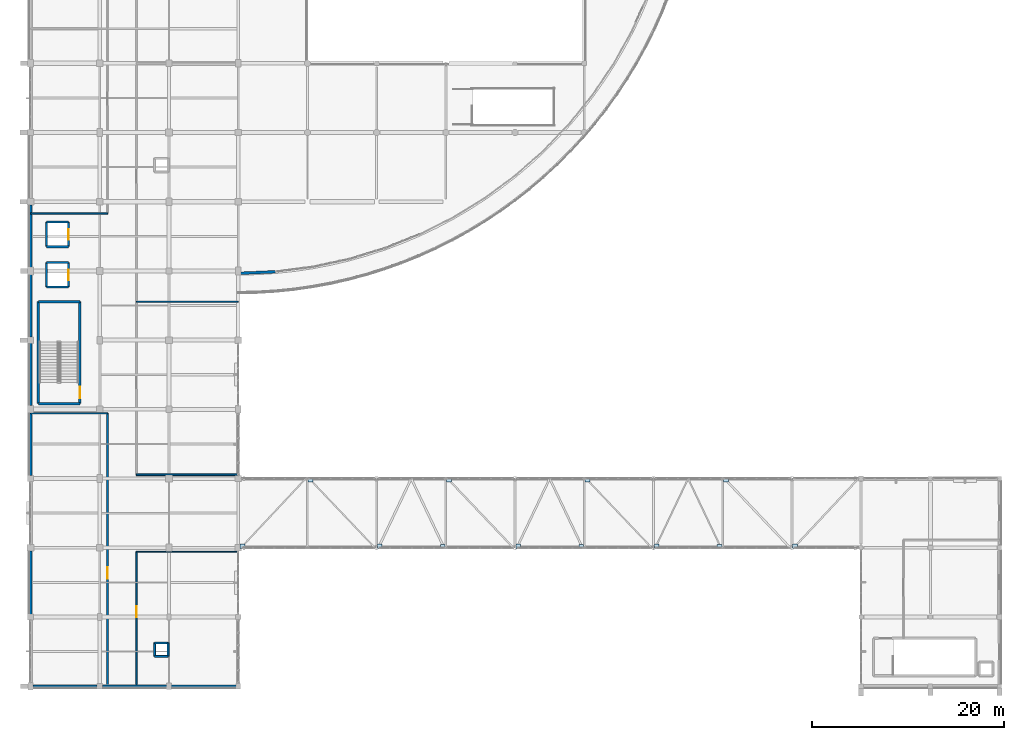
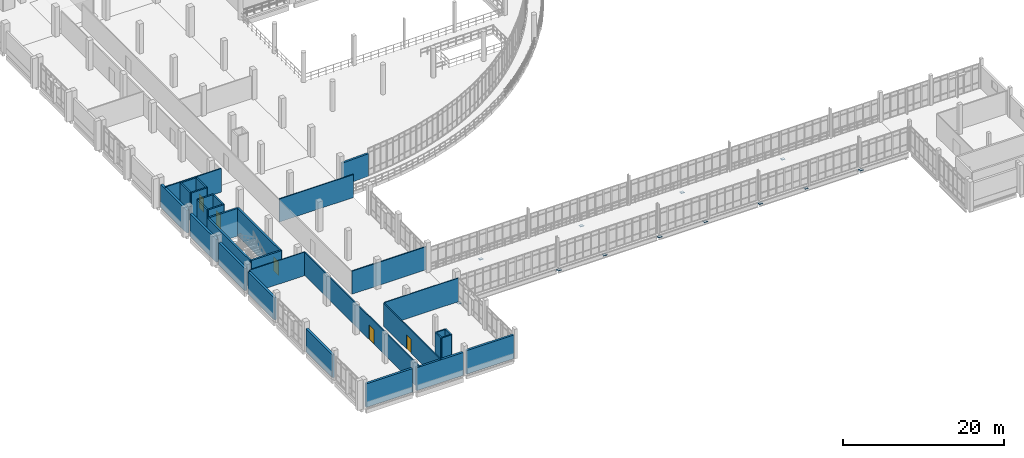
# One storey, part 100 of 116: 32 walls, 12 plates, 5 doors, 5 openings.
"""IFC4 building model written with IfcOpenShell, lengths in metres."""

from ifc_helpers import new_model, si_unit, direction, frame, frame_2d, origin, origin_2d, place, context, subcontext, project, spatial, rectangle, extrude, material, layer, layer_set, type_object, element, fill, save


model = new_model("IFC4")

# Units and contexts
model_context = context("Model", 3, precision=1e-05, world=origin(), true_north=direction((0.0, 1.0)))
body_context = subcontext(model_context, "Body", "Model", "MODEL_VIEW")
ifc_project = project(units=[si_unit("LENGTHUNIT", "METRE"), si_unit("AREAUNIT", "SQUARE_METRE"), si_unit("VOLUMEUNIT", "CUBIC_METRE"), si_unit("PLANEANGLEUNIT", "RADIAN"), si_unit("MASSUNIT", "GRAM", prefix="KILO")], contexts=[model_context])

# Site, building, storey
site_placement = place(None, origin())
site = spatial("IfcSite", under=ifc_project, at=site_placement, CompositionType="ELEMENT")
building_placement = place(site_placement, origin())
building = spatial("IfcBuilding", under=site, at=building_placement, Name="Kalluvel Institute of Natural Sciences", CompositionType="ELEMENT")
storey_placement = place(building_placement, frame((0.0, 0.0, 14.39990234375)))
storey = spatial("IfcBuildingStorey", under=building, at=storey_placement, Name="L03", CompositionType="ELEMENT", Elevation=14.39990234375)

# Plates
ifc_material_1 = material(Name="Steel E350 Grade 350", Category="steel")
ifc_layer_1 = layer(ifc_material_1, 0.030029296875)
ifc_layer_set_1 = layer_set([ifc_layer_1], Name="Steel E350 Grade 350")
plate_type_1 = type_object("IfcPlateType", Name="PL-GUS-480x30", PredefinedType="USERDEFINED", material=ifc_layer_set_1)
for number, where, z_axis, x_axis, name in (
    (1, (56.8701171875, 28.56005859375, -0.71484375), (0.0, 0.0, 1.0), (1.0, 0.0, 0.0), "L03 link bridge node gusset plate L03-03-2"),
    (2, (71.27001953125, 28.56005859375, -0.71484375), (0.0, 0.0, 1.0), (1.0, 0.0, 0.0), "L03 link bridge node gusset plate L03-05-2"),
    (3, (85.669921875, 28.56005859375, -0.71484375), (0.0, 0.0, 1.0), (1.0, 0.0, 0.0), "L03 link bridge node gusset plate L03-07-2"),
):
    element("IfcPlate", number, at=place(storey_placement, frame(where, z_axis=z_axis, x_axis=x_axis)), inside=storey, type_object=plate_type_1, Name=name, ObjectType="GUSSET PLATE", PredefinedType="USERDEFINED", context=body_context, shape_type="SweptSolid", body=[
        extrude(rectangle(XDim=0.47998046875, YDim=0.39990234375, at=origin_2d()), origin(), (0.0, 0.0, 1.0), 0.030029296875),
    ])
ifc_layer_2 = layer(ifc_material_1, 0.031982421875)
ifc_layer_set_2 = layer_set([ifc_layer_2], Name="Steel E350 Grade 350")
plate_type_2 = type_object("IfcPlateType", Name="PL-GUS-500x32", PredefinedType="USERDEFINED", material=ifc_layer_set_2)
for number, where, z_axis, x_axis, name in (
    (4, (36.030029296875, 28.56005859375, -0.7158203125), (0.0, 0.0, 1.0), (1.0, 0.0, 0.0), "L03 link bridge node gusset plate L03-01-1"),
    (5, (43.1298828125, 35.43994140625, -0.7158203125), (0.0, 0.0, 1.0), (1.0, 0.0, 0.0), "L03 link bridge node gusset plate L03-02-1"),
    (6, (50.330078125, 28.56005859375, -0.7158203125), (0.0, 0.0, 1.0), (1.0, 0.0, 0.0), "L03 link bridge node gusset plate L03-03-1"),
    (7, (57.530029296875, 35.43994140625, -0.7158203125), (0.0, 0.0, 1.0), (1.0, 0.0, 0.0), "L03 link bridge node gusset plate L03-04-1"),
    (8, (64.72998046875, 28.56005859375, -0.7158203125), (0.0, 0.0, 1.0), (1.0, 0.0, 0.0), "L03 link bridge node gusset plate L03-05-1"),
    (9, (71.929931640625, 35.43994140625, -0.7158203125), (0.0, 0.0, 1.0), (1.0, 0.0, 0.0), "L03 link bridge node gusset plate L03-06-1"),
    (10, (79.1298828125, 28.56005859375, -0.7158203125), (0.0, 0.0, 1.0), (1.0, 0.0, 0.0), "L03 link bridge node gusset plate L03-07-1"),
    (11, (86.330078125, 35.43994140625, -0.7158203125), (0.0, 0.0, 1.0), (1.0, 0.0, 0.0), "L03 link bridge node gusset plate L03-08-1"),
    (12, (93.530029296875, 28.56005859375, -0.7158203125), (0.0, 0.0, 1.0), (1.0, 0.0, 0.0), "L03 link bridge node gusset plate L03-09-1"),
):
    element("IfcPlate", number, at=place(storey_placement, frame(where, z_axis=z_axis, x_axis=x_axis)), inside=storey, type_object=plate_type_2, Name=name, ObjectType="GUSSET PLATE", PredefinedType="USERDEFINED", context=body_context, shape_type="SweptSolid", body=[
        extrude(rectangle(XDim=0.5, YDim=0.419921875, at=origin_2d()), origin(), (0.0, 0.0, 1.0), 0.031982421875),
    ])

# Wall
ifc_material_2 = material(Name="Concrete M40", Category="concrete")
ifc_layer_3 = layer(ifc_material_2, 0.25)
ifc_layer_set_3 = layer_set([ifc_layer_3], Name="Concrete M40")
wall_type_1 = type_object("IfcWallType", Name="WL-CORE-250", PredefinedType="SHEAR", material=ifc_layer_set_3)
wall_1_placement = place(storey_placement, frame((14.81494140625, 43.385009765625, 0.0), z_axis=(0.0, 0.0, 1.0), x_axis=(1.0, 0.0, 0.0)))
element("IfcWall", 13, at=wall_1_placement, inside=storey, type_object=wall_type_1, Name="ST4 L03 core wall S", PredefinedType="SHEAR", context=body_context, shape_type="SweptSolid", body=[
    extrude(rectangle(XDim=4.300048828125, YDim=0.25, at=frame_2d((2.14990234375, 0.0))), origin(), (0.0, 0.0, 1.0), 4.195068359375),
])

# Wall, opening, door
wall_2_placement = place(storey_placement, frame((19.114990234375, 43.385009765625, 0.0), z_axis=(0.0, 0.0, 1.0), x_axis=(0.0, 1.0, 0.0)))
wall_2 = element("IfcWall", 14, at=wall_2_placement, inside=storey, type_object=wall_type_1, Name="ST4 L03 core wall E", PredefinedType="SHEAR", context=body_context, shape_type="SweptSolid", body=[
    extrude(rectangle(XDim=10.6298828125, YDim=0.25, at=frame_2d((5.31494140625, 0.0))), origin(), (0.0, 0.0, 1.0), 4.195068359375),
])
opening_1_placement = place(wall_2_placement, frame((0.550048828125, 0.0, 0.0)))
opening_1 = element("IfcOpeningElement", 15, at=opening_1_placement, cuts=wall_2, Name="Opening DS-038", PredefinedType="OPENING", context=body_context, shape_type="SweptSolid", body=[
    extrude(rectangle(XDim=1.199951171875, YDim=2.14990234375, at=frame_2d((0.60009765625, 1.074951171875))), frame((0.0, 0.135009765625, 0.0), z_axis=(0.0, -1.0, 0.0), x_axis=(1.0, 0.0, 0.0)), (0.0, 0.0, 1.0), 0.27001953125),
])
ifc_material_3 = material(Name="Galvanized Fire-Rated Steel", Category="steel")
door_type_1 = type_object("IfcDoorType", Name="DR-ST-1200", OperationType="NOTDEFINED", PredefinedType="DOOR", material=ifc_material_3)
door_1_placement = place(opening_1_placement, origin())
door_1 = element("IfcDoor", 16, at=door_1_placement, inside=storey, type_object=door_type_1, Name="ST4 L03 protected stair door DS-038", OperationType="SINGLE_SWING_LEFT", OverallHeight=2.14990234375, OverallWidth=1.199951171875, PredefinedType="DOOR", context=body_context, shape_type="SweptSolid", body=[
    extrude(rectangle(XDim=1.199951171875, YDim=2.14990234375, at=frame_2d((0.60009765625, 1.074951171875))), frame((0.0, 0.02490234375, 0.0), z_axis=(0.0, -1.0, 0.0), x_axis=(1.0, 0.0, 0.0)), (0.0, 0.0, 1.0), 0.050048828125),
])
fill(opening_1, door_1)

# Walls
wall_3_placement = place(storey_placement, frame((19.114990234375, 54.014892578125, 0.0), z_axis=(0.0, 0.0, 1.0), x_axis=(-1.0, 0.0, 0.0)))
element("IfcWall", 17, at=wall_3_placement, inside=storey, type_object=wall_type_1, Name="ST4 L03 core wall N", PredefinedType="SHEAR", context=body_context, shape_type="SweptSolid", body=[
    extrude(rectangle(XDim=4.300048828125, YDim=0.25, at=frame_2d((2.14990234375, 0.0))), origin(), (0.0, 0.0, 1.0), 4.195068359375),
])
wall_4_placement = place(storey_placement, frame((14.81494140625, 54.014892578125, 0.0), z_axis=(0.0, 0.0, 1.0), x_axis=(0.0, -1.0, 0.0)))
element("IfcWall", 18, at=wall_4_placement, inside=storey, type_object=wall_type_1, Name="ST4 L03 core wall W", PredefinedType="SHEAR", context=body_context, shape_type="SweptSolid", body=[
    extrude(rectangle(XDim=10.6298828125, YDim=0.25, at=frame_2d((5.31494140625, 0.0))), origin(), (0.0, 0.0, 1.0), 4.195068359375),
])
ifc_material_4 = material(Name="Sadarahalli Grey Granite Ashlar Concrete M40", Category="masonry")
ifc_layer_4 = layer(ifc_material_4, 0.280029296875)
ifc_layer_set_4 = layer_set([ifc_layer_4], Name="Sadarahalli Grey Granite Ashlar Concrete M40")
wall_type_2 = type_object("IfcWallType", Name="WL-EXT-280", PredefinedType="SOLIDWALL", material=ifc_layer_set_4)
wall_5_placement = place(storey_placement, frame((35.60009765625, 56.949951171875, 0.0), z_axis=(0.0, 0.0, 1.0), x_axis=(0.999097710673, 0.042470749097, 0.0)))
element("IfcWall", 19, at=wall_5_placement, inside=storey, type_object=wall_type_2, Name="L03 Sadarahalli granite exterior wall WL-EXT-L03-0230", PredefinedType="SOLIDWALL", context=body_context, shape_type="SweptSolid", body=[
    extrude(rectangle(XDim=3.8916015625, YDim=0.280029296875, at=frame_2d((1.94580078125, 0.0))), origin(), (0.0, 0.0, 1.0), 3.425048828125),
])
ifc_layer_5 = layer(ifc_material_4, 0.300048828125)
ifc_layer_set_5 = layer_set([ifc_layer_5], Name="Sadarahalli Grey Granite Ashlar Concrete M40")
wall_type_3 = type_object("IfcWallType", Name="WL-EXT-300", PredefinedType="SOLIDWALL", material=ifc_layer_set_5)
wall_6_placement = place(storey_placement, frame((14.0, 21.47998046875, 0.0), z_axis=(0.0, 0.0, 1.0), x_axis=(0.0, 1.0, 0.0)))
element("IfcWall", 20, at=wall_6_placement, inside=storey, type_object=wall_type_3, Name="L03 Sadarahalli granite exterior wall WL-EXT-L03-0169", PredefinedType="SOLIDWALL", context=body_context, shape_type="SweptSolid", body=[
    extrude(rectangle(XDim=6.590087890625, YDim=0.300048828125, at=frame_2d((3.294921875, 0.0))), origin(), (0.0, 0.0, 1.0), 3.455078125),
])
wall_7_placement = place(storey_placement, frame((14.0, 35.905029296875, 0.0), z_axis=(0.0, 0.0, 1.0), x_axis=(0.0, 1.0, 0.0)))
element("IfcWall", 21, at=wall_7_placement, inside=storey, type_object=wall_type_3, Name="L03 Sadarahalli granite exterior wall WL-EXT-L03-0170", PredefinedType="SOLIDWALL", context=body_context, shape_type="SweptSolid", body=[
    extrude(rectangle(XDim=6.514892578125, YDim=0.300048828125, at=frame_2d((3.25732421875, 0.0))), origin(), (0.0, 0.0, 1.0), 3.375),
])
wall_8_placement = place(storey_placement, frame((14.2548828125, 14.0, 0.0), z_axis=(0.0, 0.0, 1.0), x_axis=(1.0, 0.0, 0.0)))
element("IfcWall", 22, at=wall_8_placement, inside=storey, type_object=wall_type_3, Name="L03 Sadarahalli granite exterior wall WL-EXT-L03-0177", PredefinedType="SOLIDWALL", context=body_context, shape_type="SweptSolid", body=[
    extrude(rectangle(XDim=6.6650390625, YDim=0.300048828125, at=frame_2d((3.33251953125, 0.0))), origin(), (0.0, 0.0, 1.0), 3.5751953125),
])
wall_9_placement = place(storey_placement, frame((21.47998046875, 14.0, 0.0), z_axis=(0.0, 0.0, 1.0), x_axis=(1.0, 0.0, 0.0)))
element("IfcWall", 23, at=wall_9_placement, inside=storey, type_object=wall_type_3, Name="L03 Sadarahalli granite exterior wall WL-EXT-L03-0178", PredefinedType="SOLIDWALL", context=body_context, shape_type="SweptSolid", body=[
    extrude(rectangle(XDim=6.68994140625, YDim=0.300048828125, at=frame_2d((3.344970703125, 0.0))), origin(), (0.0, 0.0, 1.0), 3.47509765625),
])
wall_10_placement = place(storey_placement, frame((28.6298828125, 14.0, 0.0), z_axis=(0.0, 0.0, 1.0), x_axis=(1.0, 0.0, 0.0)))
element("IfcWall", 24, at=wall_10_placement, inside=storey, type_object=wall_type_3, Name="L03 Sadarahalli granite exterior wall WL-EXT-L03-0179", PredefinedType="SOLIDWALL", context=body_context, shape_type="SweptSolid", body=[
    extrude(rectangle(XDim=6.76513671875, YDim=0.300048828125, at=frame_2d((3.382568359375, 0.0))), origin(), (0.0, 0.0, 1.0), 3.5751953125),
])
ifc_layer_6 = layer(ifc_material_4, 0.320068359375)
ifc_layer_set_6 = layer_set([ifc_layer_6], Name="Sadarahalli Grey Granite Ashlar Concrete M40")
wall_type_4 = type_object("IfcWallType", Name="WL-EXT-320", PredefinedType="SOLIDWALL", material=ifc_layer_set_6)
wall_11_placement = place(storey_placement, frame((14.0, 43.179931640625, 0.0), z_axis=(0.0, 0.0, 1.0), x_axis=(0.0, 1.0, 0.0)))
element("IfcWall", 25, at=wall_11_placement, inside=storey, type_object=wall_type_4, Name="L03 Sadarahalli granite exterior wall WL-EXT-L03-0171", PredefinedType="SOLIDWALL", context=body_context, shape_type="SweptSolid", body=[
    extrude(rectangle(XDim=6.51513671875, YDim=0.320068359375, at=frame_2d((3.257568359375, 0.0))), origin(), (0.0, 0.0, 1.0), 3.375),
])
wall_12_placement = place(storey_placement, frame((14.0, 50.304931640625, 0.0), z_axis=(0.0, 0.0, 1.0), x_axis=(0.0, 1.0, 0.0)))
element("IfcWall", 26, at=wall_12_placement, inside=storey, type_object=wall_type_4, Name="L03 Sadarahalli granite exterior wall WL-EXT-L03-0172", PredefinedType="SOLIDWALL", context=body_context, shape_type="SweptSolid", body=[
    extrude(rectangle(XDim=6.51513671875, YDim=0.320068359375, at=frame_2d((3.257568359375, 0.0))), origin(), (0.0, 0.0, 1.0), 3.455078125),
])
wall_13_placement = place(storey_placement, frame((14.0, 57.580078125, 0.0), z_axis=(0.0, 0.0, 1.0), x_axis=(0.0, 1.0, 0.0)))
element("IfcWall", 27, at=wall_13_placement, inside=storey, type_object=wall_type_4, Name="L03 Sadarahalli granite exterior wall WL-EXT-L03-0173", PredefinedType="SOLIDWALL", context=body_context, shape_type="SweptSolid", body=[
    extrude(rectangle(XDim=6.489990234375, YDim=0.320068359375, at=frame_2d((3.2451171875, 0.0))), origin(), (0.0, 0.0, 1.0), 3.455078125),
])
ifc_material_5 = material(Name="Acoustic Gypsum Twin-Stud Partition", Category="gypsum")
ifc_layer_7 = layer(ifc_material_5, 0.1201171875)
ifc_layer_set_7 = layer_set([ifc_layer_7], Name="Acoustic Gypsum Twin-Stud Partition")
wall_type_5 = type_object("IfcWallType", Name="WL-PART-120", PredefinedType="PARTITIONING", material=ifc_layer_set_7)
wall_14_placement = place(storey_placement, frame((25.0, 28.0, 0.0), z_axis=(0.0, 0.0, 1.0), x_axis=(1.0, 0.0, 0.0)))
element("IfcWall", 28, at=wall_14_placement, inside=storey, type_object=wall_type_5, Name="L03 interior partition wall WL-INT-L03-0193", PredefinedType="PARTITIONING", context=body_context, shape_type="SweptSolid", body=[
    extrude(rectangle(XDim=10.60009765625, YDim=0.1201171875, at=frame_2d((5.300048828125, 0.0))), origin(), (0.0, 0.0, 1.0), 3.580078125),
])
wall_15_placement = place(storey_placement, frame((14.0, 42.39990234375, 0.0), z_axis=(0.0, 0.0, 1.0), x_axis=(1.0, 0.0, 0.0)))
element("IfcWall", 29, at=wall_15_placement, inside=storey, type_object=wall_type_5, Name="L03 interior partition wall WL-INT-L03-0199", PredefinedType="PARTITIONING", context=body_context, shape_type="SweptSolid", body=[
    extrude(rectangle(XDim=8.0, YDim=0.1201171875, at=frame_2d((4.0, 0.0))), origin(), (0.0, 0.0, 1.0), 3.580078125),
])
ifc_layer_8 = layer(ifc_material_5, 0.139892578125)
ifc_layer_set_8 = layer_set([ifc_layer_8], Name="Acoustic Gypsum Twin-Stud Partition")
wall_type_6 = type_object("IfcWallType", Name="WL-PART-140", PredefinedType="PARTITIONING", material=ifc_layer_set_8)
wall_16_placement = place(storey_placement, frame((25.0, 54.0, 0.0), z_axis=(0.0, 0.0, 1.0), x_axis=(1.0, 0.0, 0.0)))
element("IfcWall", 30, at=wall_16_placement, inside=storey, type_object=wall_type_6, Name="L03 interior partition wall WL-INT-L03-0195", PredefinedType="PARTITIONING", context=body_context, shape_type="SweptSolid", body=[
    extrude(rectangle(XDim=10.60009765625, YDim=0.139892578125, at=frame_2d((5.300048828125, 0.0))), origin(), (0.0, 0.0, 1.0), 3.47998046875),
])

# Wall, opening, door
ifc_material_6 = material(Name="Autoclaved Aerated Concrete Masonry Block", Category="masonry")
ifc_layer_9 = layer(ifc_material_6, 0.159912109375)
ifc_layer_set_9 = layer_set([ifc_layer_9], Name="Autoclaved Aerated Concrete Masonry Block")
wall_type_7 = type_object("IfcWallType", Name="WL-PART-160", PredefinedType="PARTITIONING", material=ifc_layer_set_9)
wall_17_placement = place(storey_placement, frame((25.0, 14.0, 0.0), z_axis=(0.0, 0.0, 1.0), x_axis=(0.0, 1.0, 0.0)))
wall_17 = element("IfcWall", 31, at=wall_17_placement, inside=storey, type_object=wall_type_7, Name="L03 interior partition wall WL-INT-L03-0191", PredefinedType="PARTITIONING", context=body_context, shape_type="SweptSolid", body=[
    extrude(rectangle(XDim=14.0, YDim=0.159912109375, at=frame_2d((7.0, 0.0))), origin(), (0.0, 0.0, 1.0), 3.47998046875),
])
opening_2_placement = place(wall_17_placement, frame((7.199951171875, 0.0, 0.0)))
opening_2 = element("IfcOpeningElement", 32, at=opening_2_placement, cuts=wall_17, Name="Opening D-161", PredefinedType="OPENING", context=body_context, shape_type="SweptSolid", body=[
    extrude(rectangle(XDim=1.10009765625, YDim=2.14990234375, at=frame_2d((0.550048828125, 1.074951171875))), frame((0.0, 0.08984375, 0.0), z_axis=(0.0, -1.0, 0.0), x_axis=(1.0, 0.0, 0.0)), (0.0, 0.0, 1.0), 0.179931640625),
])
ifc_material_7 = material(Name="Engineered Hardwood Acoustic Leaf", Category="wood")
door_type_2 = type_object("IfcDoorType", Name="DR-INT-1100", OperationType="NOTDEFINED", PredefinedType="DOOR", material=ifc_material_7)
door_2_placement = place(opening_2_placement, origin())
door_2 = element("IfcDoor", 33, at=door_2_placement, inside=storey, type_object=door_type_2, Name="Genomic Assembly Bioinformatics Studio door D-161", OperationType="SINGLE_SWING_LEFT", OverallHeight=2.14990234375, OverallWidth=1.10009765625, PredefinedType="DOOR", context=body_context, shape_type="SweptSolid", body=[
    extrude(rectangle(XDim=1.10009765625, YDim=2.14990234375, at=frame_2d((0.550048828125, 1.074951171875))), frame((0.0, 0.02490234375, 0.0), z_axis=(0.0, -1.0, 0.0), x_axis=(1.0, 0.0, 0.0)), (0.0, 0.0, 1.0), 0.050048828125),
])
fill(opening_2, door_2)

# Wall
wall_18_placement = place(storey_placement, frame((25.0, 36.0, 0.0), z_axis=(0.0, 0.0, 1.0), x_axis=(1.0, 0.0, 0.0)))
element("IfcWall", 34, at=wall_18_placement, inside=storey, type_object=wall_type_7, Name="L03 interior partition wall WL-INT-L03-0194", PredefinedType="PARTITIONING", context=body_context, shape_type="SweptSolid", body=[
    extrude(rectangle(XDim=10.60009765625, YDim=0.159912109375, at=frame_2d((5.300048828125, 0.0))), origin(), (0.0, 0.0, 1.0), 3.47998046875),
])

# Wall, opening, door
wall_19_placement = place(storey_placement, frame((22.0, 14.0, 0.0), z_axis=(0.0, 0.0, 1.0), x_axis=(0.0, 1.0, 0.0)))
wall_19 = element("IfcWall", 35, at=wall_19_placement, inside=storey, type_object=wall_type_7, Name="L03 interior partition wall WL-INT-L03-0197", PredefinedType="PARTITIONING", context=body_context, shape_type="SweptSolid", body=[
    extrude(rectangle(XDim=28.39990234375, YDim=0.159912109375, at=frame_2d((14.199951171875, 0.0))), origin(), (0.0, 0.0, 1.0), 3.47998046875),
])
opening_3_placement = place(wall_19_placement, frame((11.199951171875, 0.0, 0.0)))
opening_3 = element("IfcOpeningElement", 36, at=opening_3_placement, cuts=wall_19, Name="Opening D-165", PredefinedType="OPENING", context=body_context, shape_type="SweptSolid", body=[
    extrude(rectangle(XDim=1.179931640625, YDim=2.199951171875, at=frame_2d((0.58984375, 1.10009765625))), frame((0.0, 0.08984375, 0.0), z_axis=(0.0, -1.0, 0.0), x_axis=(1.0, 0.0, 0.0)), (0.0, 0.0, 1.0), 0.179931640625),
])
door_type_3 = type_object("IfcDoorType", Name="DR-INT-1180", OperationType="NOTDEFINED", PredefinedType="DOOR", material=ifc_material_7)
door_3_placement = place(opening_3_placement, origin())
door_3 = element("IfcDoor", 37, at=door_3_placement, inside=storey, type_object=door_type_3, Name="L03 DW-S door D-165", OperationType="SINGLE_SWING_RIGHT", OverallHeight=2.199951171875, OverallWidth=1.179931640625, PredefinedType="DOOR", context=body_context, shape_type="SweptSolid", body=[
    extrude(rectangle(XDim=1.179931640625, YDim=2.199951171875, at=frame_2d((0.58984375, 1.10009765625))), frame((0.0, 0.02490234375, 0.0), z_axis=(0.0, -1.0, 0.0), x_axis=(1.0, 0.0, 0.0)), (0.0, 0.0, 1.0), 0.050048828125),
])
fill(opening_3, door_3)

# Walls
wall_20_placement = place(storey_placement, frame((14.0, 63.199951171875, 0.0), z_axis=(0.0, 0.0, 1.0), x_axis=(1.0, 0.0, 0.0)))
element("IfcWall", 38, at=wall_20_placement, inside=storey, type_object=wall_type_7, Name="L03 interior partition wall WL-INT-L03-0200", PredefinedType="PARTITIONING", context=body_context, shape_type="SweptSolid", body=[
    extrude(rectangle(XDim=8.0, YDim=0.159912109375, at=frame_2d((4.0, 0.0))), origin(), (0.0, 0.0, 1.0), 3.580078125),
])
ifc_layer_10 = layer(ifc_material_2, 0.199951171875)
ifc_layer_set_10 = layer_set([ifc_layer_10], Name="Concrete M40")
wall_type_8 = type_object("IfcWallType", Name="WL-RISER-200", PredefinedType="SHEAR", material=ifc_layer_set_10)
wall_21_placement = place(storey_placement, frame((26.89990234375, 17.10009765625, 0.0), z_axis=(0.0, 0.0, 1.0), x_axis=(1.0, 0.0, 0.0)))
element("IfcWall", 39, at=wall_21_placement, inside=storey, type_object=wall_type_8, Name="RS-DRY-S L03 service riser enclosure S", PredefinedType="SHEAR", context=body_context, shape_type="SweptSolid", body=[
    extrude(rectangle(XDim=1.400146484375, YDim=0.199951171875, at=frame_2d((0.7001953125, 0.0))), origin(), (0.0, 0.0, 1.0), 4.16015625),
])
wall_22_placement = place(storey_placement, frame((28.300048828125, 17.10009765625, 0.0), z_axis=(0.0, 0.0, 1.0), x_axis=(0.0, 1.0, 0.0)))
element("IfcWall", 40, at=wall_22_placement, inside=storey, type_object=wall_type_8, Name="RS-DRY-S L03 service riser enclosure E", PredefinedType="SHEAR", context=body_context, shape_type="SweptSolid", body=[
    extrude(rectangle(XDim=1.39990234375, YDim=0.199951171875, at=frame_2d((0.699951171875, 0.0))), origin(), (0.0, 0.0, 1.0), 4.16015625),
])
wall_23_placement = place(storey_placement, frame((28.300048828125, 18.5, 0.0), z_axis=(0.0, 0.0, 1.0), x_axis=(-1.0, 0.0, 0.0)))
element("IfcWall", 41, at=wall_23_placement, inside=storey, type_object=wall_type_8, Name="RS-DRY-S L03 service riser enclosure N", PredefinedType="SHEAR", context=body_context, shape_type="SweptSolid", body=[
    extrude(rectangle(XDim=1.400146484375, YDim=0.199951171875, at=frame_2d((0.7001953125, 0.0))), origin(), (0.0, 0.0, 1.0), 4.16015625),
])
wall_24_placement = place(storey_placement, frame((26.89990234375, 18.5, 0.0), z_axis=(0.0, 0.0, 1.0), x_axis=(0.0, -1.0, 0.0)))
element("IfcWall", 42, at=wall_24_placement, inside=storey, type_object=wall_type_8, Name="RS-DRY-S L03 service riser enclosure W", PredefinedType="SHEAR", context=body_context, shape_type="SweptSolid", body=[
    extrude(rectangle(XDim=1.39990234375, YDim=0.199951171875, at=frame_2d((0.699951171875, 0.0))), origin(), (0.0, 0.0, 1.0), 4.16015625),
])
ifc_layer_11 = layer(ifc_material_2, 0.219970703125)
ifc_layer_set_11 = layer_set([ifc_layer_11], Name="Concrete M40")
wall_type_9 = type_object("IfcWallType", Name="WL-SHAFT-220", PredefinedType="SHEAR", material=ifc_layer_set_11)
wall_25_placement = place(storey_placement, frame((15.669921875, 55.52001953125, 0.0), z_axis=(0.0, 0.0, 1.0), x_axis=(1.0, 0.0, 0.0)))
element("IfcWall", 43, at=wall_25_placement, inside=storey, type_object=wall_type_9, Name="LF6 L03 lift shaft wall", PredefinedType="SHEAR", context=body_context, shape_type="SweptSolid", body=[
    extrude(rectangle(XDim=2.260009765625, YDim=0.219970703125, at=frame_2d((1.1298828125, 0.0))), origin(), (0.0, 0.0, 1.0), 4.195068359375),
])

# Wall, opening, door
wall_26_placement = place(storey_placement, frame((17.929931640625, 55.52001953125, 0.0), z_axis=(0.0, 0.0, 1.0), x_axis=(0.0, 1.0, 0.0)))
wall_26 = element("IfcWall", 44, at=wall_26_placement, inside=storey, type_object=wall_type_9, Name="LF6 L03 lift shaft wall", PredefinedType="SHEAR", context=body_context, shape_type="SweptSolid", body=[
    extrude(rectangle(XDim=2.56005859375, YDim=0.219970703125, at=frame_2d((1.280029296875, 0.0))), origin(), (0.0, 0.0, 1.0), 4.195068359375),
])
opening_4_placement = place(wall_26_placement, frame((0.72998046875, 0.0, 0.0)))
opening_4 = element("IfcOpeningElement", 45, at=opening_4_placement, cuts=wall_26, Name="Opening LD-047", PredefinedType="OPENING", context=body_context, shape_type="SweptSolid", body=[
    extrude(rectangle(XDim=1.10009765625, YDim=2.14990234375, at=frame_2d((0.550048828125, 1.074951171875))), frame((0.0, 0.119873046875, 0.0), z_axis=(0.0, -1.0, 0.0), x_axis=(1.0, 0.0, 0.0)), (0.0, 0.0, 1.0), 0.239990234375),
])
door_type_4 = type_object("IfcDoorType", Name="DR-LD-1100", OperationType="NOTDEFINED", PredefinedType="DOOR", material=ifc_material_3)
door_4_placement = place(opening_4_placement, origin())
door_4 = element("IfcDoor", 46, at=door_4_placement, inside=storey, type_object=door_type_4, Name="LF6 L03 sliding lift landing door LD-047", OperationType="DOUBLE_DOOR_SLIDING", OverallHeight=2.14990234375, OverallWidth=1.10009765625, PredefinedType="DOOR", context=body_context, shape_type="SweptSolid", body=[
    extrude(rectangle(XDim=1.10009765625, YDim=2.14990234375, at=frame_2d((0.550048828125, 1.074951171875))), frame((0.0, 0.02490234375, 0.0), z_axis=(0.0, -1.0, 0.0), x_axis=(1.0, 0.0, 0.0)), (0.0, 0.0, 1.0), 0.050048828125),
])
fill(opening_4, door_4)

# Walls
wall_27_placement = place(storey_placement, frame((17.929931640625, 58.080078125, 0.0), z_axis=(0.0, 0.0, 1.0), x_axis=(-1.0, 0.0, 0.0)))
element("IfcWall", 47, at=wall_27_placement, inside=storey, type_object=wall_type_9, Name="LF6 L03 lift shaft wall", PredefinedType="SHEAR", context=body_context, shape_type="SweptSolid", body=[
    extrude(rectangle(XDim=2.260009765625, YDim=0.219970703125, at=frame_2d((1.1298828125, 0.0))), origin(), (0.0, 0.0, 1.0), 4.195068359375),
])
wall_28_placement = place(storey_placement, frame((15.669921875, 58.080078125, 0.0), z_axis=(0.0, 0.0, 1.0), x_axis=(0.0, -1.0, 0.0)))
element("IfcWall", 48, at=wall_28_placement, inside=storey, type_object=wall_type_9, Name="LF6 L03 lift shaft wall", PredefinedType="SHEAR", context=body_context, shape_type="SweptSolid", body=[
    extrude(rectangle(XDim=2.56005859375, YDim=0.219970703125, at=frame_2d((1.280029296875, 0.0))), origin(), (0.0, 0.0, 1.0), 4.195068359375),
])
wall_29_placement = place(storey_placement, frame((15.669921875, 59.719970703125, 0.0), z_axis=(0.0, 0.0, 1.0), x_axis=(1.0, 0.0, 0.0)))
element("IfcWall", 49, at=wall_29_placement, inside=storey, type_object=wall_type_9, Name="LF7 L03 lift shaft wall", PredefinedType="SHEAR", context=body_context, shape_type="SweptSolid", body=[
    extrude(rectangle(XDim=2.260009765625, YDim=0.219970703125, at=frame_2d((1.1298828125, 0.0))), origin(), (0.0, 0.0, 1.0), 4.195068359375),
])

# Wall, opening, door
wall_30_placement = place(storey_placement, frame((17.929931640625, 59.719970703125, 0.0), z_axis=(0.0, 0.0, 1.0), x_axis=(0.0, 1.0, 0.0)))
wall_30 = element("IfcWall", 50, at=wall_30_placement, inside=storey, type_object=wall_type_9, Name="LF7 L03 lift shaft wall", PredefinedType="SHEAR", context=body_context, shape_type="SweptSolid", body=[
    extrude(rectangle(XDim=2.56005859375, YDim=0.219970703125, at=frame_2d((1.280029296875, 0.0))), origin(), (0.0, 0.0, 1.0), 4.195068359375),
])
opening_5_placement = place(wall_30_placement, frame((0.72998046875, 0.0, 0.0)))
opening_5 = element("IfcOpeningElement", 51, at=opening_5_placement, cuts=wall_30, Name="Opening LD-055", PredefinedType="OPENING", context=body_context, shape_type="SweptSolid", body=[
    extrude(rectangle(XDim=1.10009765625, YDim=2.14990234375, at=frame_2d((0.550048828125, 1.074951171875))), frame((0.0, 0.119873046875, 0.0), z_axis=(0.0, -1.0, 0.0), x_axis=(1.0, 0.0, 0.0)), (0.0, 0.0, 1.0), 0.239990234375),
])
door_5_placement = place(opening_5_placement, origin())
door_5 = element("IfcDoor", 52, at=door_5_placement, inside=storey, type_object=door_type_4, Name="LF7 L03 sliding lift landing door LD-055", OperationType="DOUBLE_DOOR_SLIDING", OverallHeight=2.14990234375, OverallWidth=1.10009765625, PredefinedType="DOOR", context=body_context, shape_type="SweptSolid", body=[
    extrude(rectangle(XDim=1.10009765625, YDim=2.14990234375, at=frame_2d((0.550048828125, 1.074951171875))), frame((0.0, 0.02490234375, 0.0), z_axis=(0.0, -1.0, 0.0), x_axis=(1.0, 0.0, 0.0)), (0.0, 0.0, 1.0), 0.050048828125),
])
fill(opening_5, door_5)

# Walls
wall_31_placement = place(storey_placement, frame((17.929931640625, 62.280029296875, 0.0), z_axis=(0.0, 0.0, 1.0), x_axis=(-1.0, 0.0, 0.0)))
element("IfcWall", 53, at=wall_31_placement, inside=storey, type_object=wall_type_9, Name="LF7 L03 lift shaft wall", PredefinedType="SHEAR", context=body_context, shape_type="SweptSolid", body=[
    extrude(rectangle(XDim=2.260009765625, YDim=0.219970703125, at=frame_2d((1.1298828125, 0.0))), origin(), (0.0, 0.0, 1.0), 4.195068359375),
])
wall_32_placement = place(storey_placement, frame((15.669921875, 62.280029296875, 0.0), z_axis=(0.0, 0.0, 1.0), x_axis=(0.0, -1.0, 0.0)))
element("IfcWall", 54, at=wall_32_placement, inside=storey, type_object=wall_type_9, Name="LF7 L03 lift shaft wall", PredefinedType="SHEAR", context=body_context, shape_type="SweptSolid", body=[
    extrude(rectangle(XDim=2.56005859375, YDim=0.219970703125, at=frame_2d((1.280029296875, 0.0))), origin(), (0.0, 0.0, 1.0), 4.195068359375),
])

save(model, "model.ifc")
